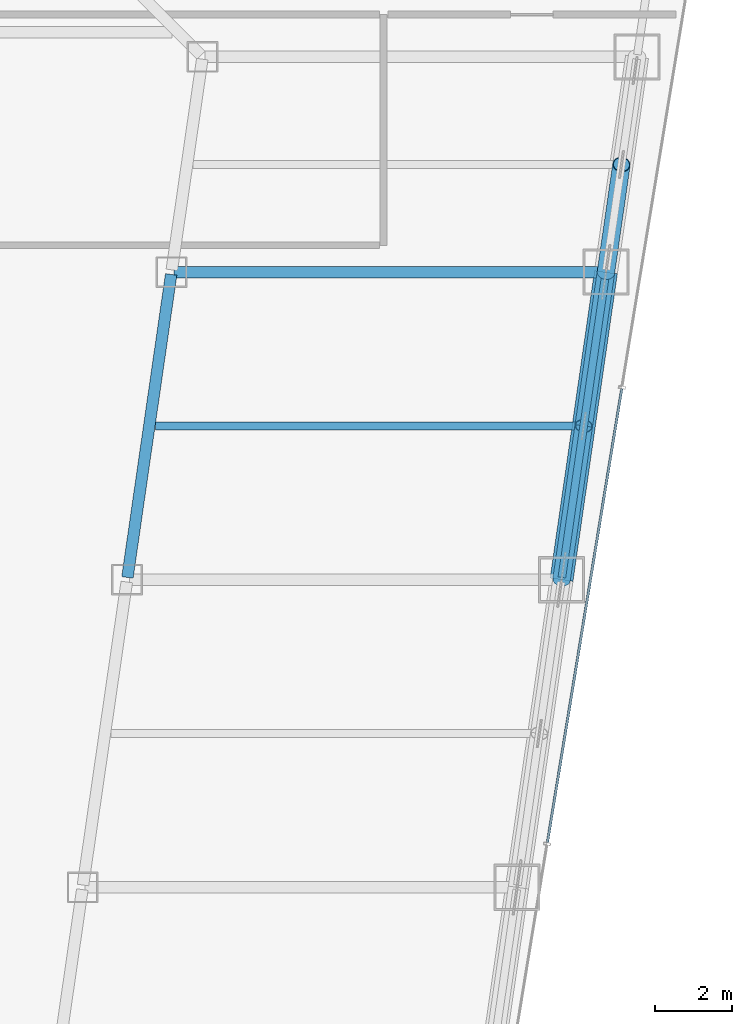
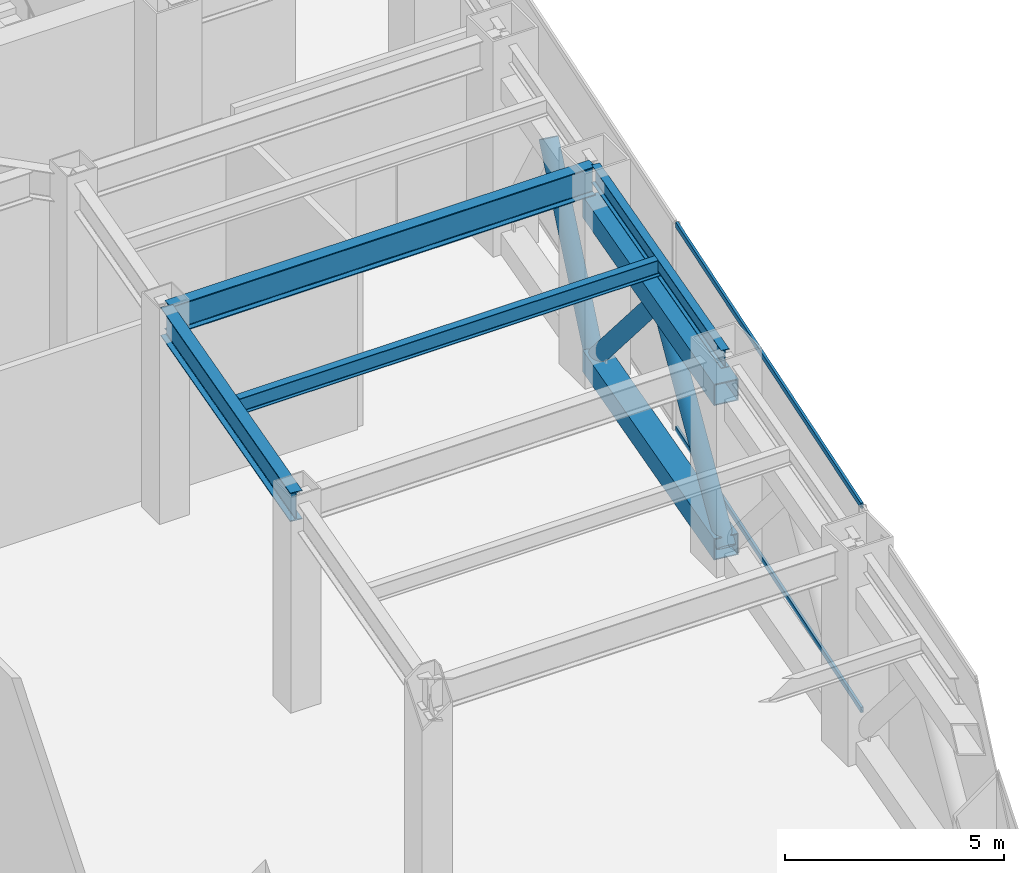
# One storey, part 16 of 35: 7 members, 4 beams, 1 element without a shape of its own.
"""IFC4 building model written with IfcOpenShell, lengths in metres."""

from ifc_helpers import new_model, si_unit, direction, frame, origin, origin_2d, place, context, subcontext, project, spatial, hollow_rectangle, hollow_circle, i_section, extrude, material, material_profile, profile_set, type_object, element, aggregate, save


model = new_model("IFC4")

# Units and contexts
model_context = context("Model", 3, precision=1e-05, world=origin(), true_north=direction((0.0, 1.0)))
body_context = subcontext(model_context, "Body", "Model", "MODEL_VIEW")
ifc_project = project(units=[si_unit("LENGTHUNIT", "METRE"), si_unit("AREAUNIT", "SQUARE_METRE"), si_unit("VOLUMEUNIT", "CUBIC_METRE"), si_unit("PLANEANGLEUNIT", "RADIAN"), si_unit("MASSUNIT", "GRAM", prefix="KILO")], contexts=[model_context])

# Site, building, storey
site_placement = place(None, origin())
site = spatial("IfcSite", under=ifc_project, at=site_placement, CompositionType="ELEMENT")
building_placement = place(site_placement, origin())
building = spatial("IfcBuilding", under=site, at=building_placement, Name="Saevonmaru Cultural Tower", CompositionType="ELEMENT")
storey_placement = place(building_placement, frame((0.0, 0.0, 86.800048828125)))
storey = spatial("IfcBuildingStorey", under=building, at=storey_placement, Name="L18", CompositionType="ELEMENT", Elevation=86.800048828125)

# Beams
ifc_material_1 = material(Name="Steel SM420", Category="steel")
ifc_material_profile_1 = material_profile(ifc_material_1, i_section(OverallWidth=0.300048828125, OverallDepth=0.800048828125, WebThickness=0.013916015625, FlangeThickness=0.02587890625, FilletRadius=0.028076171875, at=origin_2d()), Name="H-800x300x14x26")
ifc_profile_set_1 = profile_set([ifc_material_profile_1], Name="Steel SM420")
beam_type_1 = type_object("IfcBeamType", Name="BM-G-H800", PredefinedType="BEAM", material=ifc_profile_set_1)
beam_1_placement = place(storey_placement, frame((39.236572265625, 24.059326171875, 5.349853515625), z_axis=(0.142902032203, 0.989736838353, 0.0), x_axis=(-0.989736838353, 0.142902032203, 0.0)))
element("IfcBeam", 1, at=beam_1_placement, inside=storey, type_object=beam_type_1, Name="L18 East Atrium Girder 4", PredefinedType="BEAM", context=body_context, shape_type="SweptSolid", body=[
    extrude(i_section(OverallWidth=0.300048828125, OverallDepth=0.800048828125, WebThickness=0.013916015625, FlangeThickness=0.02587890625, FilletRadius=0.028076171875, at=origin_2d()), origin(), (0.0, 0.0, 1.0), 7.963134765625),
])
beam_2_placement = place(storey_placement, frame((40.443115234375, 32.0, 5.349853515625), z_axis=(1.0, 0.0, 0.0), x_axis=(0.0, 1.0, 0.0)))
element("IfcBeam", 2, at=beam_2_placement, inside=storey, type_object=beam_type_1, Name="L18 East Wing Transverse Girder 5", PredefinedType="BEAM", context=body_context, shape_type="SweptSolid", body=[
    extrude(i_section(OverallWidth=0.300048828125, OverallDepth=0.800048828125, WebThickness=0.013916015625, FlangeThickness=0.02587890625, FilletRadius=0.028076171875, at=origin_2d()), origin(), (0.0, 0.0, 1.0), 11.179931640625),
])
ifc_material_2 = material(Name="Steel SM355", Category="steel")
ifc_material_profile_2 = material_profile(ifc_material_2, i_section(OverallWidth=0.199951171875, OverallDepth=0.449951171875, WebThickness=0.009033203125, FlangeThickness=0.013916015625, FilletRadius=0.01806640625, at=origin_2d()), Name="H-450x200x9x14")
ifc_profile_set_2 = profile_set([ifc_material_profile_2], Name="Steel SM355")
beam_type_2 = type_object("IfcBeamType", Name="BM-J-H450", PredefinedType="JOIST", material=ifc_profile_set_2)
beam_3_placement = place(storey_placement, frame((39.96337890625, 28.0, 5.52490234375), z_axis=(1.0, 0.0, 0.0), x_axis=(0.0, 1.0, 0.0)))
element("IfcBeam", 3, at=beam_3_placement, inside=storey, type_object=beam_type_2, Name="L18 East Wing Floor Joist 4", PredefinedType="JOIST", context=body_context, shape_type="SweptSolid", body=[
    extrude(i_section(OverallWidth=0.199951171875, OverallDepth=0.449951171875, WebThickness=0.009033203125, FlangeThickness=0.013916015625, FilletRadius=0.01806640625, at=origin_2d()), origin(), (0.0, 0.0, 1.0), 11.08203125),
])
ifc_material_profile_3 = material_profile(ifc_material_2, i_section(OverallWidth=0.199951171875, OverallDepth=0.5, WebThickness=0.010009765625, FlangeThickness=0.01611328125, FilletRadius=0.02001953125, at=origin_2d()), Name="H-500x200x10x16")
ifc_profile_set_3 = profile_set([ifc_material_profile_3], Name="Steel SM355")
beam_type_3 = type_object("IfcBeamType", Name="BM-SP-H500", PredefinedType="SPANDREL", material=ifc_profile_set_3)
beam_4_placement = place(storey_placement, frame((50.53662109375, 24.059326171875, 5.5), z_axis=(0.142871999001, 0.989741174197, 0.0), x_axis=(-0.989741174197, 0.142871999001, 0.0)))
element("IfcBeam", 4, at=beam_4_placement, inside=storey, type_object=beam_type_3, Name="L18 East Splayed Spandrel 4", PredefinedType="SPANDREL", context=body_context, shape_type="SweptSolid", body=[
    extrude(i_section(OverallWidth=0.199951171875, OverallDepth=0.5, WebThickness=0.010009765625, FlangeThickness=0.01611328125, FilletRadius=0.02001953125, at=origin_2d()), origin(), (0.0, 0.0, 1.0), 7.963134765625),
])

# Members
ifc_material_profile_4 = material_profile(ifc_material_1, hollow_circle(Radius=0.228515625, WallThickness=0.02001953125, at=origin_2d()), Name="CHS-457.2x20")
ifc_profile_set_4 = profile_set([ifc_material_profile_4], Name="Steel SM420")
member_type_1 = type_object("IfcMemberType", Name="MB-BBR-CHS457", PredefinedType="BRACE", material=ifc_profile_set_4)
member_1_placement = place(storey_placement, frame((50.528076171875, 24.0, 0.300048828125), z_axis=(0.097764748588, 0.677857655887, 0.72866388156), x_axis=(-0.989758915483, 0.142749042803, 0.0)))
element("IfcMember", 5, at=member_1_placement, inside=storey, type_object=member_type_1, Name="L18 Belt Truss Diagonal BE4-1", PredefinedType="BRACE", context=body_context, shape_type="SweptSolid", body=[
    extrude(hollow_circle(Radius=0.228515625, WallThickness=0.02001953125, at=origin_2d()), origin(), (0.0, 0.0, 1.0), 5.90087890625),
])
member_2_placement = place(storey_placement, frame((51.68310546875, 32.0, 0.300048828125), z_axis=(-0.097969630896, -0.677843932686, 0.728649129789), x_axis=(0.989716197255, -0.143044919135, 0.0)))
element("IfcMember", 6, at=member_2_placement, inside=storey, type_object=member_type_1, Name="L18 Belt Truss Diagonal BE4-2", PredefinedType="BRACE", context=body_context, shape_type="SweptSolid", body=[
    extrude(hollow_circle(Radius=0.228515625, WallThickness=0.02001953125, at=origin_2d()), origin(), (0.0, 0.0, 1.0), 5.901123046875),
])
member_3_placement = place(storey_placement, frame((51.68310546875, 32.0, 0.300048828125), z_axis=(0.078455069334, 0.544015229861, 0.835399444443), x_axis=(-0.989760486421, 0.142738150191, 0.0)))
element("IfcMember", 7, at=member_3_placement, inside=storey, type_object=member_type_1, Name="L18 Belt Truss Diagonal BE5-1", PredefinedType="BRACE", context=body_context, shape_type="SweptSolid", body=[
    extrude(hollow_circle(Radius=0.228515625, WallThickness=0.02001953125, at=origin_2d()), origin(), (0.0, 0.0, 1.0), 5.14697265625),
])
ifc_material_profile_5 = material_profile(ifc_material_1, hollow_rectangle(XDim=0.60009765625, YDim=0.60009765625, WallThickness=0.028076171875, at=origin_2d()), Name="BOX-600x600x28")
ifc_profile_set_5 = profile_set([ifc_material_profile_5], Name="Steel SM420")
member_type_2 = type_object("IfcMemberType", Name="MB-BCH-BOX600", PredefinedType="CHORD", material=ifc_profile_set_5)
for number, where, z_axis, x_axis, name in (
    (8, (50.528076171875, 24.0, 0.300048828125), (0.142896985758, 0.989737566965, 0.0), (-0.989737566965, 0.142896985758, 0.0), "L18 Belt Truss Bottom Chord BE4"),
    (9, (50.528076171875, 24.0, 4.599853515625), (0.142896985758, 0.989737566965, 0.0), (-0.989737566965, 0.142896985758, 0.0), "L18 Belt Truss Top Chord BE4"),
):
    element("IfcMember", number, at=place(storey_placement, frame(where, z_axis=z_axis, x_axis=x_axis)), inside=storey, type_object=member_type_2, Name=name, PredefinedType="CHORD", context=body_context, shape_type="SweptSolid", body=[
        extrude(hollow_rectangle(XDim=0.60009765625, YDim=0.60009765625, WallThickness=0.028076171875, at=origin_2d()), origin(), (0.0, 0.0, 1.0), 8.0830078125),
    ])

# Curtain wall, members
ifc_material_3 = material(Name="Satin Bronze Anodised Aluminium", Category="aluminium")
curtain_wall_type = type_object("IfcCurtainWallType", Name="CW-TYP-A", PredefinedType="NOTDEFINED", material=ifc_material_3)
curtain_wall_placement = place(storey_placement, origin())
curtain_wall = element("IfcCurtainWall", 10, at=curtain_wall_placement, inside=storey, type_object=curtain_wall_type, Name="L18 Wind-Floor Acoustic Louvre Screen E8", PredefinedType="NOTDEFINED")
ifc_material_profile_6 = material_profile(ifc_material_3, hollow_rectangle(XDim=0.06494140625, YDim=0.14990234375, WallThickness=0.00390625, at=origin_2d()), Name="ALU-TRAN-150x65x4")
ifc_profile_set_6 = profile_set([ifc_material_profile_6], Name="Satin Bronze Anodised Aluminium")
member_type_3 = type_object("IfcMemberType", Name="TR-CW-150x65", PredefinedType="USERDEFINED", material=ifc_profile_set_6)
member_4_placement = place(storey_placement, frame((50.16015625, 17.16162109375, 0.032470703125), z_axis=(0.161701400727, 0.986839732177, 0.0), x_axis=(-0.986839732177, 0.161701400727, 0.0)))
member_4 = element("IfcMember", 11, at=member_4_placement, type_object=member_type_3, Name="CW-TW-L18-E8 transom 2.1", ObjectType="TRANSOM", PredefinedType="USERDEFINED", context=body_context, shape_type="SweptSolid", body=[
    extrude(hollow_rectangle(XDim=0.06494140625, YDim=0.14990234375, WallThickness=0.00390625, at=origin_2d()), origin(), (0.0, 0.0, 1.0), 11.9638671875),
])
member_5_placement = place(storey_placement, frame((50.16015625, 17.16162109375, 5.717529296875), z_axis=(0.161701400727, 0.986839732177, 0.0), x_axis=(-0.986839732177, 0.161701400727, 0.0)))
member_5 = element("IfcMember", 12, at=member_5_placement, type_object=member_type_3, Name="CW-TW-L18-E8 transom 2.2", ObjectType="TRANSOM", PredefinedType="USERDEFINED", context=body_context, shape_type="SweptSolid", body=[
    extrude(hollow_rectangle(XDim=0.06494140625, YDim=0.14990234375, WallThickness=0.00390625, at=origin_2d()), origin(), (0.0, 0.0, 1.0), 11.9638671875),
])
aggregate(curtain_wall, [member_4, member_5])

save(model, "model.ifc")
